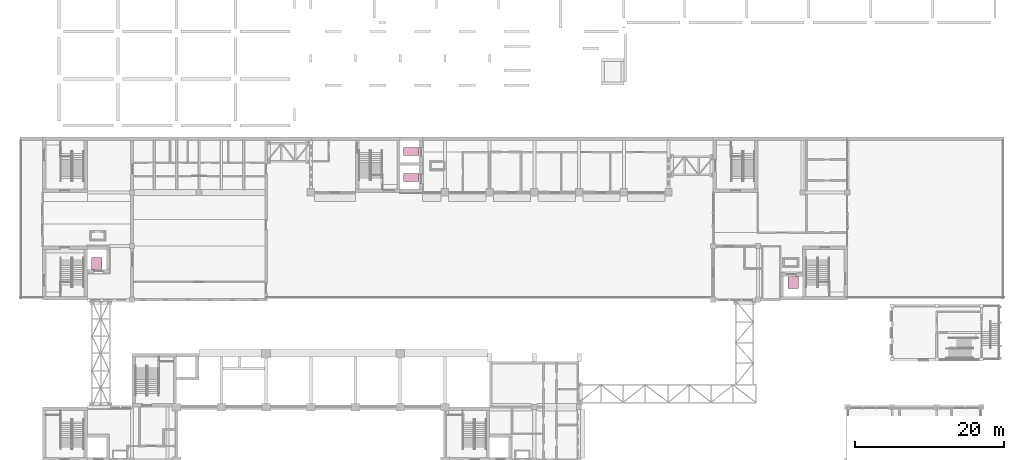
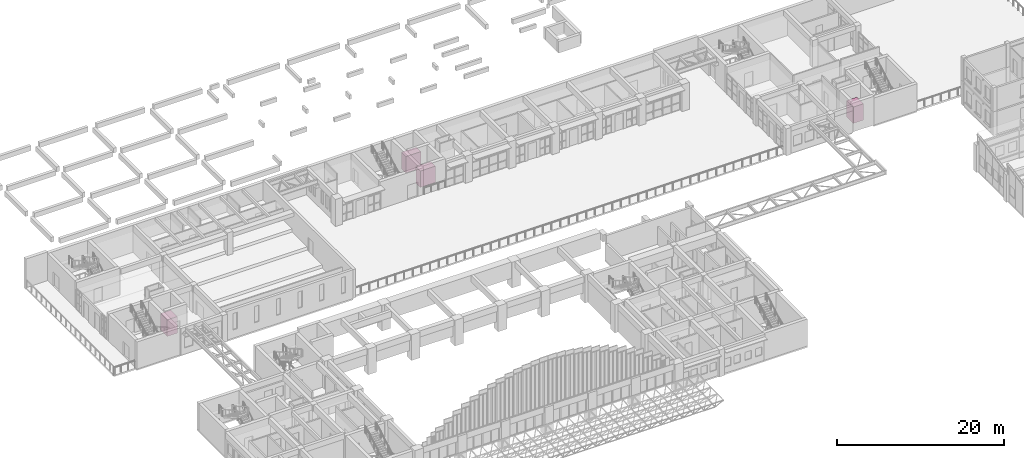
# One storey, part 103 of 103: 4 transport elements.
"""IFC4 building model written with IfcOpenShell, lengths in metres."""

from ifc_helpers import new_model, si_unit, direction, frame, origin, origin_2d, place, context, subcontext, project, spatial, rectangle, extrude, material, type_object, element, save


model = new_model("IFC4")

# Units and contexts
model_context = context("Model", 3, precision=1e-05, world=origin(), true_north=direction((0.0, 1.0)))
body_context = subcontext(model_context, "Body", "Model", "MODEL_VIEW")
ifc_project = project(units=[si_unit("LENGTHUNIT", "METRE"), si_unit("AREAUNIT", "SQUARE_METRE"), si_unit("VOLUMEUNIT", "CUBIC_METRE"), si_unit("PLANEANGLEUNIT", "RADIAN"), si_unit("MASSUNIT", "GRAM", prefix="KILO")], contexts=[model_context])

# Site, building, storey
site_placement = place(None, origin())
site = spatial("IfcSite", under=ifc_project, at=site_placement, CompositionType="ELEMENT")
building_placement = place(site_placement, origin())
building = spatial("IfcBuilding", under=site, at=building_placement, Name="Laocheng Heights Fire and Rescue Headquarters", CompositionType="ELEMENT")
storey_placement = place(building_placement, frame((0.0, 0.0, 4.199951171875)))
storey = spatial("IfcBuildingStorey", under=building, at=storey_placement, Name="L01", CompositionType="ELEMENT", Elevation=4.199951171875)

# Transport elements
ifc_material_1 = material(Name="Stainless steel and glass", Category="steel")
transport_element_type_1 = type_object("IfcTransportElementType", Name="PASSENGER LIFT 1350 KG 1400x1600", PredefinedType="ELEVATOR", material=ifc_material_1)
for number, where, z_axis, x_axis, name in (
    (1, (7.27490234375, 40.889892578125, 0.0), (0.0, 0.0, 1.0), (1.0, 0.0, 0.0), "P-L1"),
    (2, (100.72509765625, 38.31005859375, 0.0), (0.0, 0.0, 1.0), (1.0, 0.0, 0.0), "C-L1"),
):
    element("IfcTransportElement", number, at=place(storey_placement, frame(where, z_axis=z_axis, x_axis=x_axis)), inside=storey, type_object=transport_element_type_1, Name=name, PredefinedType="ELEVATOR", context=body_context, shape_type="SweptSolid", body=[
        extrude(rectangle(XDim=1.39990234375, YDim=1.60009765625, at=origin_2d()), origin(), (0.0, 0.0, 1.0), 2.39990234375),
    ])
ifc_material_2 = material(Name="Stainless steel and glass", Category="steel")
transport_element_type_2 = type_object("IfcTransportElementType", Name="STRETCHER LIFT 1600 KG 1100x2100", PredefinedType="ELEVATOR", material=ifc_material_2)
for number, where, z_axis, x_axis, name in (
    (3, (49.4599609375, 55.91259765625, 0.0), (0.0, 0.0, 1.0), (1.0, 0.0, 0.0), "H-L1"),
    (4, (49.4599609375, 52.425048828125, 0.0), (0.0, 0.0, 1.0), (1.0, 0.0, 0.0), "H-L3"),
):
    element("IfcTransportElement", number, at=place(storey_placement, frame(where, z_axis=z_axis, x_axis=x_axis)), inside=storey, type_object=transport_element_type_2, Name=name, PredefinedType="ELEVATOR", context=body_context, shape_type="SweptSolid", body=[
        extrude(rectangle(XDim=2.10009765625, YDim=1.10009765625, at=origin_2d()), origin(), (0.0, 0.0, 1.0), 2.39990234375),
    ])

save(model, "model.ifc")
